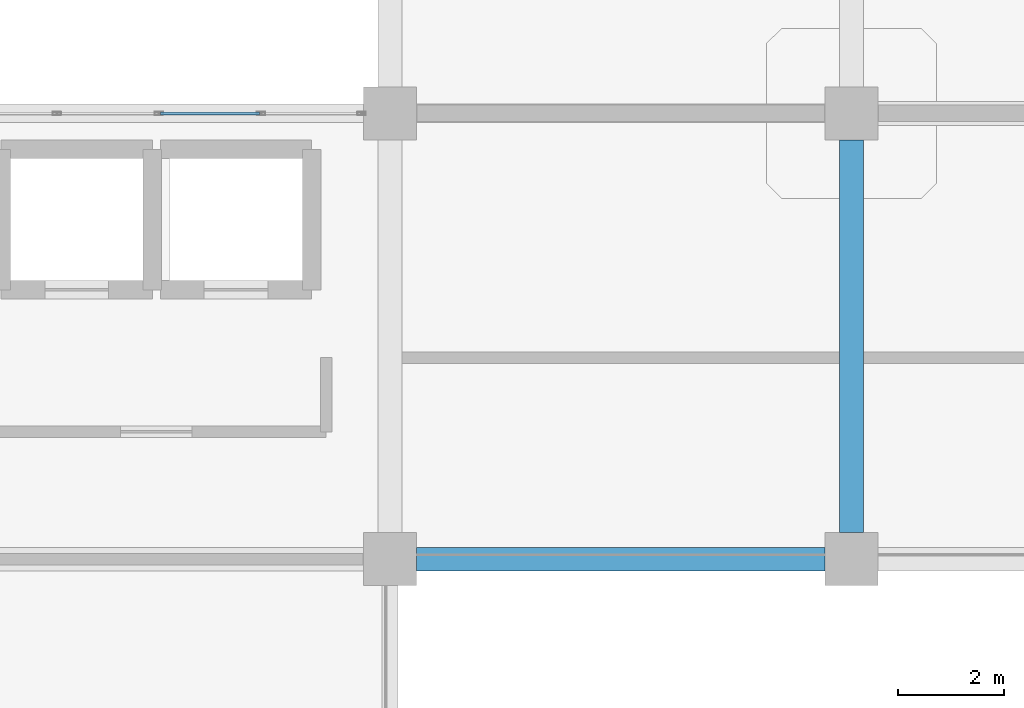
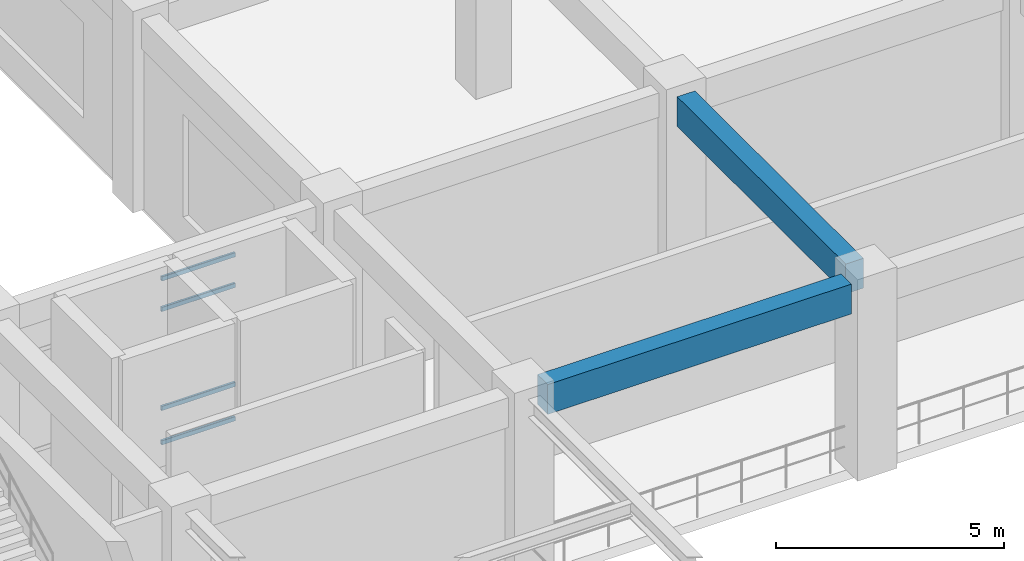
# One storey, part 41 of 114: 4 members, 2 beams, 1 element without a shape of its own.
"""IFC4 building model written with IfcOpenShell, lengths in metres."""

import ifcopenshell
import ifcopenshell.guid

model = None  # the IFC model being written
_history = None  # IfcOwnerHistory: only IFC2X3 demands one
_inside = {}  # id of a spatial element -> (the spatial element, [elements in it])
_under = {}  # id of a project, library or spatial element -> (it, [spatial elements below it])
_declared = {}  # id of a project -> (the project, [libraries it declares])
_typed = {}  # id of a type object -> (the type object, [elements of that type])
_made_of = {}  # id of a material, layer set ... -> (it, [elements and type objects made of it])


def new_model(schema):
    """Start an empty IFC model of exactly this schema.

    Asked for "IFC4X3", IfcOpenShell would pick the latest addendum, in which some entities
    have other attributes; the version numbers below select the first issue.
    IFC2X3 requires an IfcOwnerHistory on every rooted entity: one is made here for all.
    """
    global model, _history
    if schema == "IFC4X3":
        model = ifcopenshell.file(schema_version=(4, 3, 0, 0))
    else:
        model = ifcopenshell.file(schema=schema)
    _inside.clear()
    _under.clear()
    _declared.clear()
    _typed.clear()
    _made_of.clear()
    _history = None
    if model.schema == "IFC2X3":
        org = make("IfcOrganization", Name="unknown")
        user = make(
            "IfcPersonAndOrganization",
            ThePerson=make("IfcPerson", FamilyName="unknown"),
            TheOrganization=org,
        )
        app = make(
            "IfcApplication",
            ApplicationDeveloper=org,
            Version="unknown",
            ApplicationFullName="unknown",
            ApplicationIdentifier="unknown",
        )
        _history = make(
            "IfcOwnerHistory",
            OwningUser=user,
            OwningApplication=app,
            ChangeAction="ADDED",
            CreationDate=0,
        )
    return model


def make(cls, **values):
    """One entity of the class cls with the attributes given. An attribute that is None is left unset."""
    return model.create_entity(
        cls, **{name: value for name, value in values.items() if value is not None}
    )


def rooted(cls, **values):
    """An entity with a GlobalId (a new one), such as an element, a storey or a relation."""
    return make(cls, GlobalId=ifcopenshell.guid.new(), OwnerHistory=_history, **values)


def si_unit(unit_type, name, prefix=None):
    """IfcSIUnit, for example si_unit("LENGTHUNIT", "METRE", prefix="MILLI")."""
    return make("IfcSIUnit", UnitType=unit_type, Prefix=prefix, Name=name)


def derived_unit(unit_type, elements):
    """IfcDerivedUnit: a product of units, each with its exponent."""
    return make(
        "IfcDerivedUnit",
        Elements=[
            make("IfcDerivedUnitElement", Unit=unit, Exponent=power)
            for unit, power in elements
        ],
        UnitType=unit_type,
    )


def assignment(units):
    """IfcUnitAssignment: the units of a project."""
    return None if units is None else make("IfcUnitAssignment", Units=units)


def point(xyz):
    """IfcCartesianPoint."""
    return None if xyz is None else make("IfcCartesianPoint", Coordinates=xyz)


def direction(xyz):
    """IfcDirection."""
    return None if xyz is None else make("IfcDirection", DirectionRatios=xyz)


def frame(location, z_axis=None, x_axis=None):
    """IfcAxis2Placement3D, a coordinate frame: its origin and axes. An axis left out is left unset."""
    return make(
        "IfcAxis2Placement3D",
        Location=point(location),
        Axis=direction(z_axis),
        RefDirection=direction(x_axis),
    )


def frame_2d(location, x_axis=None):
    """IfcAxis2Placement2D, a coordinate frame in the plane: its origin and x axis."""
    return make(
        "IfcAxis2Placement2D", Location=point(location), RefDirection=direction(x_axis)
    )


def origin():
    """The frame at (0, 0, 0) with its axes left unset."""
    return frame((0.0, 0.0, 0.0))


def origin_2d():
    """The frame at (0, 0) in the plane with its x axis left unset."""
    return frame_2d((0.0, 0.0))


def place(relative_to, where):
    """IfcLocalPlacement: puts the frame where relative to a parent placement (None: the world)."""
    return make(
        "IfcLocalPlacement", PlacementRelTo=relative_to, RelativePlacement=where
    )


def context(
    kind, dimensions, precision=None, world=None, true_north=None, identifier=None
):
    """IfcGeometricRepresentationContext, for example the 3D "Model" context."""
    return make(
        "IfcGeometricRepresentationContext",
        ContextIdentifier=identifier,
        ContextType=kind,
        CoordinateSpaceDimension=dimensions,
        Precision=precision,
        WorldCoordinateSystem=world,
        TrueNorth=true_north,
    )


def subcontext(parent, identifier, kind, view, scale=None):
    """IfcGeometricRepresentationSubContext, for example "Body" below "Model"."""
    return make(
        "IfcGeometricRepresentationSubContext",
        ContextIdentifier=identifier,
        ContextType=kind,
        ParentContext=parent,
        TargetScale=scale,
        TargetView=view,
    )


def project(units=None, contexts=None):
    """IfcProject with its units and contexts."""
    return rooted(
        "IfcProject",
        Name="project",
        RepresentationContexts=contexts,
        UnitsInContext=assignment(units),
    )


def spatial(cls, under=None, at=None, **own):
    """A site, building, storey or space (cls), placed at a placement, below another one or the project."""
    s = rooted(cls, ObjectPlacement=at, **own)
    if under is not None:
        _under.setdefault(under.id(), (under, []))[1].append(s)
    return s


def profile(cls, at=None, kind="AREA", **sizes):
    """A parametric profile (cls). Its sizes go by their IFC names, for example OverallWidth=200.0."""
    return make(cls, ProfileType=kind, Position=at, **sizes)


def rectangle(**sizes):
    """IfcRectangleProfileDef."""
    return profile("IfcRectangleProfileDef", **sizes)


def hollow_rectangle(**sizes):
    """IfcRectangleHollowProfileDef."""
    return profile("IfcRectangleHollowProfileDef", **sizes)


def extrude(swept, where, along, depth):
    """IfcExtrudedAreaSolid: the profile swept, set in the frame where, extruded along a direction by depth."""
    return make(
        "IfcExtrudedAreaSolid",
        SweptArea=swept,
        Position=where,
        ExtrudedDirection=direction(along),
        Depth=depth,
    )


def shape(context_of_items, identifier, shape_type, items):
    """IfcShapeRepresentation: the items that make up one representation, for example the "Body"."""
    return make(
        "IfcShapeRepresentation",
        ContextOfItems=context_of_items,
        RepresentationIdentifier=identifier,
        RepresentationType=shape_type,
        Items=items,
    )


def material(Name=None, Category=None):
    """IfcMaterial."""
    return make("IfcMaterial", Name=Name, Category=Category)


def layer(
    of_material, thickness, ventilated=None, Name=None, Category=None, Priority=None
):
    """IfcMaterialLayer: one layer of a wall or slab, of a material (None: an air gap)."""
    return make(
        "IfcMaterialLayer",
        Material=of_material,
        LayerThickness=thickness,
        IsVentilated=ventilated,
        Name=Name,
        Category=Category,
        Priority=Priority,
    )


def layer_set(layers, Name=None):
    """IfcMaterialLayerSet."""
    return make("IfcMaterialLayerSet", MaterialLayers=layers, LayerSetName=Name)


def material_profile(
    of_material, cross_section, Name=None, Category=None, Priority=None
):
    """IfcMaterialProfile: a cross section and its material."""
    return make(
        "IfcMaterialProfile",
        Name=Name,
        Material=of_material,
        Profile=cross_section,
        Priority=Priority,
        Category=Category,
    )


def profile_set(profiles, Name=None, composite=None):
    """IfcMaterialProfileSet."""
    return make(
        "IfcMaterialProfileSet",
        Name=Name,
        MaterialProfiles=profiles,
        CompositeProfile=composite,
    )


def made_of(thing, what):
    """Note that an element or type object is made of a material, layer set ...; save() writes the relation."""
    if what is not None:
        _made_of.setdefault(what.id(), (what, []))[1].append(thing)
    return thing


def type_object(cls, material=None, **own):
    """A type object (cls), such as IfcWallType, which elements share."""
    return made_of(rooted(cls, **own), material)


def element(
    cls,
    number,
    at=None,
    inside=None,
    cuts=None,
    type_object=None,
    material=None,
    context=None,
    identifier="Body",
    shape_type=None,
    held_by="IfcProductDefinitionShape",
    body=None,
    shapes=None,
    **own,
):
    """One element of the class cls, such as IfcWall. Its Tag is "e" and its number.

    at: its placement. inside: the storey or other place that contains it. cuts: it is an
    opening in that element (IfcRelVoidsElement). A single representation is given by context,
    identifier, shape_type and body (its items); several are given by shapes. held_by: the class
    of the entity that holds the representations. save() writes the other relations.
    """
    e = rooted(cls, Tag="e%d" % number, ObjectPlacement=at, **own)
    if body is not None:
        shapes = [shape(context, identifier, shape_type, body)]
    if shapes is not None:
        e.Representation = make(held_by, Representations=shapes)
    if inside is not None:
        _inside.setdefault(inside.id(), (inside, []))[1].append(e)
    if cuts is not None:
        rooted(
            "IfcRelVoidsElement", RelatingBuildingElement=cuts, RelatedOpeningElement=e
        )
    if type_object is not None:
        _typed.setdefault(type_object.id(), (type_object, []))[1].append(e)
    return made_of(e, material)


def aggregate(whole, parts):
    """IfcRelAggregates: a whole, such as a stair, and the parts it consists of."""
    return rooted("IfcRelAggregates", RelatingObject=whole, RelatedObjects=parts)


def save(model, path):
    """Write the relations noted so far, then the file.

    IfcRelAggregates (storeys below a building ...), IfcRelContainedInSpatialStructure (elements
    in a storey), IfcRelDefinesByType, IfcRelAssociatesMaterial and IfcRelDeclares: one each for
    every whole, place, type object, material and project.
    """
    for whole, parts in _under.values():
        aggregate(whole, parts)
    for where, things in _inside.values():
        rooted(
            "IfcRelContainedInSpatialStructure",
            RelatedElements=things,
            RelatingStructure=where,
        )
    for kind, things in _typed.values():
        rooted("IfcRelDefinesByType", RelatedObjects=things, RelatingType=kind)
    for what, things in _made_of.values():
        rooted("IfcRelAssociatesMaterial", RelatedObjects=things, RelatingMaterial=what)
    for by, libraries in _declared.values():
        rooted("IfcRelDeclares", RelatingContext=by, RelatedDefinitions=libraries)
    model.write(path)


model = new_model("IFC4")

# Units and contexts
model_context = context("Model", 3, precision=1e-05, world=origin(), true_north=direction((0.0, 1.0)))
body_context = subcontext(model_context, "Body", "Model", "MODEL_VIEW")
ifc_project = project(units=[si_unit("LENGTHUNIT", "METRE"), si_unit("AREAUNIT", "SQUARE_METRE"), si_unit("VOLUMEUNIT", "CUBIC_METRE"), si_unit("PLANEANGLEUNIT", "RADIAN"), si_unit("MASSUNIT", "GRAM", prefix="KILO"), derived_unit("THERMALTRANSMITTANCEUNIT", [(si_unit("MASSUNIT", "GRAM", prefix="KILO"), 1), (si_unit("TIMEUNIT", "SECOND"), -3), (si_unit("THERMODYNAMICTEMPERATUREUNIT", "KELVIN"), -1)])], contexts=[model_context])

# Site, building, storey
site_placement = place(None, origin())
site = spatial("IfcSite", under=ifc_project, at=site_placement, CompositionType="ELEMENT")
building_placement = place(site_placement, origin())
building = spatial("IfcBuilding", under=site, at=building_placement, Name="Qinzheling Arcade Emporium", CompositionType="ELEMENT")
storey_placement = place(building_placement, frame((0.0, 0.0, 6.0)))
storey = spatial("IfcBuildingStorey", under=building, at=storey_placement, Name="L02", CompositionType="ELEMENT", Elevation=6.0)

# Curtain wall, members
ifc_material_1 = material(Name="Anodised aluminium and solar-control double glazing", Category="aluminium")
ifc_layer = layer(ifc_material_1, 0.159912109375, Name="Anodised aluminium and solar-control double glazing", Category="aluminium")
ifc_layer_set = layer_set([ifc_layer], Name="Anodised aluminium and solar-control double glazing")
curtain_wall_type = type_object("IfcCurtainWallType", Name="Atrium Clerestory Curtain Wall", PredefinedType="NOTDEFINED", material=ifc_layer_set)
curtain_wall_placement = place(storey_placement, origin())
curtain_wall = element("IfcCurtainWall", 1, at=curtain_wall_placement, inside=storey, type_object=curtain_wall_type, Name="Curtain Wall CW-L02-093", PredefinedType="NOTDEFINED")
ifc_material_2 = material(Name="Anodised aluminium 6063-T6", Category="aluminium")
ifc_material_profile_1 = material_profile(ifc_material_2, hollow_rectangle(XDim=0.06005859375, YDim=0.1201171875, WallThickness=0.00390625, InnerFilletRadius=0.00390625, OuterFilletRadius=0.008056640625, at=origin_2d()), Name="RHS 120x60x4", Category="aluminium")
ifc_profile_set_1 = profile_set([ifc_material_profile_1], Name="Anodised aluminium 6063-T6")
member_type = type_object("IfcMemberType", Name="Curtain Wall Transom RHS120x60", PredefinedType="USERDEFINED", material=ifc_profile_set_1)
member_1_placement = place(storey_placement, frame((47.8798828125, 73.800048828125, 0.030029296875), z_axis=(1.0, 0.0, 0.0), x_axis=(0.0, 1.0, 0.0)))
member_1 = element("IfcMember", 2, at=member_1_placement, type_object=member_type, Name="CW03 transom 3.1", ObjectType="TRANSOM", PredefinedType="USERDEFINED", context=body_context, shape_type="SweptSolid", body=[
    extrude(hollow_rectangle(XDim=0.06005859375, YDim=0.1201171875, WallThickness=0.00390625, InnerFilletRadius=0.00390625, OuterFilletRadius=0.008056640625, at=origin_2d()), origin(), (0.0, 0.0, 1.0), 1.864013671875),
])
member_2_placement = place(storey_placement, frame((47.8798828125, 73.800048828125, 0.949951171875), z_axis=(1.0, 0.0, 0.0), x_axis=(0.0, 1.0, 0.0)))
member_2 = element("IfcMember", 3, at=member_2_placement, type_object=member_type, Name="CW03 transom 3.2", ObjectType="TRANSOM", PredefinedType="USERDEFINED", context=body_context, shape_type="SweptSolid", body=[
    extrude(hollow_rectangle(XDim=0.06005859375, YDim=0.1201171875, WallThickness=0.00390625, InnerFilletRadius=0.00390625, OuterFilletRadius=0.008056640625, at=origin_2d()), origin(), (0.0, 0.0, 1.0), 1.864013671875),
])
member_3_placement = place(storey_placement, frame((47.8798828125, 73.800048828125, 3.60498046875), z_axis=(1.0, 0.0, 0.0), x_axis=(0.0, 1.0, 0.0)))
member_3 = element("IfcMember", 4, at=member_3_placement, type_object=member_type, Name="CW03 transom 3.3", ObjectType="TRANSOM", PredefinedType="USERDEFINED", context=body_context, shape_type="SweptSolid", body=[
    extrude(hollow_rectangle(XDim=0.06005859375, YDim=0.1201171875, WallThickness=0.00390625, InnerFilletRadius=0.00390625, OuterFilletRadius=0.008056640625, at=origin_2d()), origin(), (0.0, 0.0, 1.0), 1.864013671875),
])
member_4_placement = place(storey_placement, frame((47.8798828125, 73.800048828125, 4.425048828125), z_axis=(1.0, 0.0, 0.0), x_axis=(0.0, 1.0, 0.0)))
member_4 = element("IfcMember", 5, at=member_4_placement, type_object=member_type, Name="CW03 transom 3.4", ObjectType="TRANSOM", PredefinedType="USERDEFINED", context=body_context, shape_type="SweptSolid", body=[
    extrude(hollow_rectangle(XDim=0.06005859375, YDim=0.1201171875, WallThickness=0.00390625, InnerFilletRadius=0.00390625, OuterFilletRadius=0.008056640625, at=origin_2d()), origin(), (0.0, 0.0, 1.0), 1.864013671875),
])
aggregate(curtain_wall, [member_1, member_2, member_3, member_4])

# Beams
ifc_material_3 = material(Name="Concrete C40", Category="concrete")
ifc_material_profile_2 = material_profile(ifc_material_3, rectangle(XDim=0.449951171875, YDim=0.800048828125, at=origin_2d()), Name="RC 450x800", Category="concrete")
ifc_profile_set_2 = profile_set([ifc_material_profile_2], Name="Concrete C40")
beam_type = type_object("IfcBeamType", Name="RC Primary Frame Beam 450x800 C40", PredefinedType="BEAM", material=ifc_profile_set_2)
beam_1_placement = place(storey_placement, frame((52.699951171875, 65.39990234375, 4.719970703125), z_axis=(1.0, 0.0, 0.0), x_axis=(0.0, 1.0, 0.0)))
element("IfcBeam", 6, at=beam_1_placement, inside=storey, type_object=beam_type, Name="Beam BM-L02-X-H-7", PredefinedType="BEAM", context=body_context, shape_type="SweptSolid", body=[
    extrude(rectangle(XDim=0.449951171875, YDim=0.800048828125, at=origin_2d()), origin(), (0.0, 0.0, 1.0), 7.699951171875),
])
beam_2_placement = place(storey_placement, frame((60.89990234375, 65.89990234375, 4.719970703125), z_axis=(0.0, 1.0, 0.0), x_axis=(-1.0, 0.0, 0.0)))
element("IfcBeam", 7, at=beam_2_placement, inside=storey, type_object=beam_type, Name="Beam BM-L02-Y-8-H", PredefinedType="BEAM", context=body_context, shape_type="SweptSolid", body=[
    extrude(rectangle(XDim=0.449951171875, YDim=0.800048828125, at=origin_2d()), origin(), (0.0, 0.0, 1.0), 7.400146484375),
])

save(model, "model.ifc")
